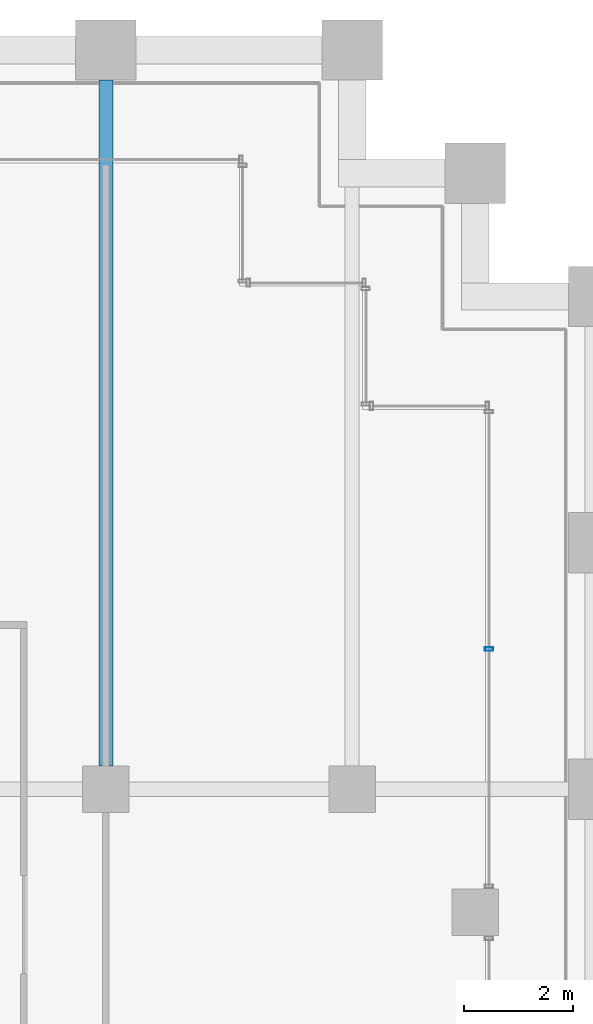
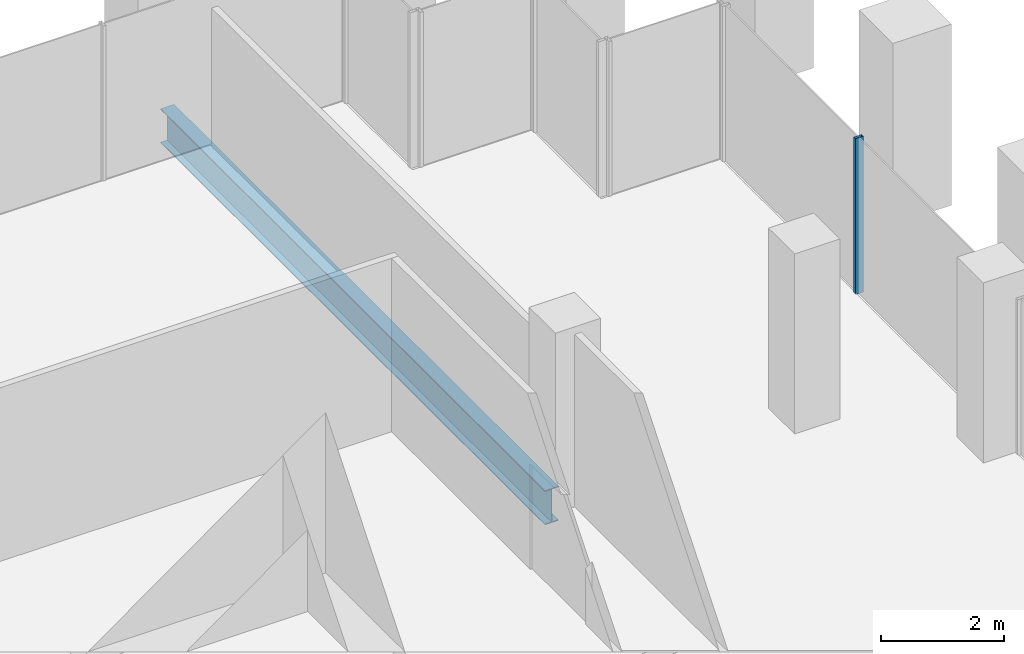
# One storey, part 30 of 54: 1 beam, 1 member, 1 element without a shape of its own.
"""IFC4 building model written with IfcOpenShell, lengths in metres."""

from ifc_helpers import new_model, si_unit, direction, frame, origin, origin_2d, place, context, subcontext, project, spatial, hollow_rectangle, i_section, extrude, material, material_profile, profile_set, type_object, element, aggregate, save


model = new_model("IFC4")

# Units and contexts
model_context = context("Model", 3, precision=1e-05, world=origin(), true_north=direction((0.0, 1.0)))
body_context = subcontext(model_context, "Body", "Model", "MODEL_VIEW")
ifc_project = project(units=[si_unit("LENGTHUNIT", "METRE"), si_unit("AREAUNIT", "SQUARE_METRE"), si_unit("VOLUMEUNIT", "CUBIC_METRE"), si_unit("PLANEANGLEUNIT", "RADIAN"), si_unit("MASSUNIT", "GRAM", prefix="KILO")], contexts=[model_context])

# Site, building, storey
site_placement = place(None, origin())
site = spatial("IfcSite", under=ifc_project, at=site_placement, CompositionType="ELEMENT")
building_placement = place(site_placement, origin())
building = spatial("IfcBuilding", under=site, at=building_placement, Name="Altepetl Exchange Towers", CompositionType="ELEMENT")
storey_placement = place(building_placement, frame((0.0, 0.0, 65.39990234375)))
storey = spatial("IfcBuildingStorey", under=building, at=storey_placement, Name="L15", CompositionType="ELEMENT", Elevation=65.39990234375)

# Beam
ifc_material_1 = material(Name="Steel S355", Category="steel")
ifc_material_profile_1 = material_profile(ifc_material_1, i_section(OverallWidth=0.25390625, OverallDepth=0.68408203125, WebThickness=0.012451171875, FlangeThickness=0.018798828125, at=origin_2d()), Name="W27X94")
ifc_profile_set_1 = profile_set([ifc_material_profile_1], Name="Steel S355")
beam_type = type_object("IfcBeamType", Name="Floor beam W27X94", PredefinedType="BEAM", material=ifc_profile_set_1)
beam_placement = place(storey_placement, frame((63.0, 58.925048828125, -0.491943359375), z_axis=(0.0, 1.0, 0.0), x_axis=(-1.0, 0.0, 0.0)))
element("IfcBeam", 1, at=beam_placement, inside=storey, type_object=beam_type, Name="bm:A:L15:004", PredefinedType="BEAM", context=body_context, shape_type="SweptSolid", body=[
    extrude(i_section(OverallWidth=0.25390625, OverallDepth=0.68408203125, WebThickness=0.012451171875, FlangeThickness=0.018798828125, at=origin_2d()), origin(), (0.0, 0.0, 1.0), 12.52490234375),
])

# Curtain wall, member
ifc_material_2 = material(Name="Aluminium 6063-T6 glazing", Category="aluminium")
curtain_wall_type = type_object("IfcCurtainWallType", Name="Loggia glazing system", PredefinedType="NOTDEFINED", material=ifc_material_2)
curtain_wall_placement = place(storey_placement, origin())
curtain_wall = element("IfcCurtainWall", 2, at=curtain_wall_placement, inside=storey, type_object=curtain_wall_type, Name="CW1 run", PredefinedType="NOTDEFINED")
ifc_material_3 = material(Name="Aluminium 6063-T6", Category="aluminium")
ifc_material_profile_2 = material_profile(ifc_material_3, hollow_rectangle(XDim=0.06005859375, YDim=0.14990234375, WallThickness=0.0029296875, at=origin_2d()), Name="Mullion 60x150 aluminium")
ifc_profile_set_2 = profile_set([ifc_material_profile_2], Name="Aluminium 6063-T6")
member_type = type_object("IfcMemberType", Name="Mullion 60x150 aluminium", PredefinedType="MULLION", material=ifc_profile_set_2)
member_placement = place(storey_placement, frame((70.0, 61.06005859375, 0.0), z_axis=(0.0, 0.0, 1.0), x_axis=(0.0, 1.0, 0.0)))
member = element("IfcMember", 3, at=member_placement, type_object=member_type, Name="MU1 mullion", PredefinedType="MULLION", context=body_context, shape_type="SweptSolid", body=[
    extrude(hollow_rectangle(XDim=0.06005859375, YDim=0.14990234375, WallThickness=0.0029296875, at=origin_2d()), origin(), (0.0, 0.0, 1.0), 3.10009765625),
])
aggregate(curtain_wall, [member])

save(model, "model.ifc")
